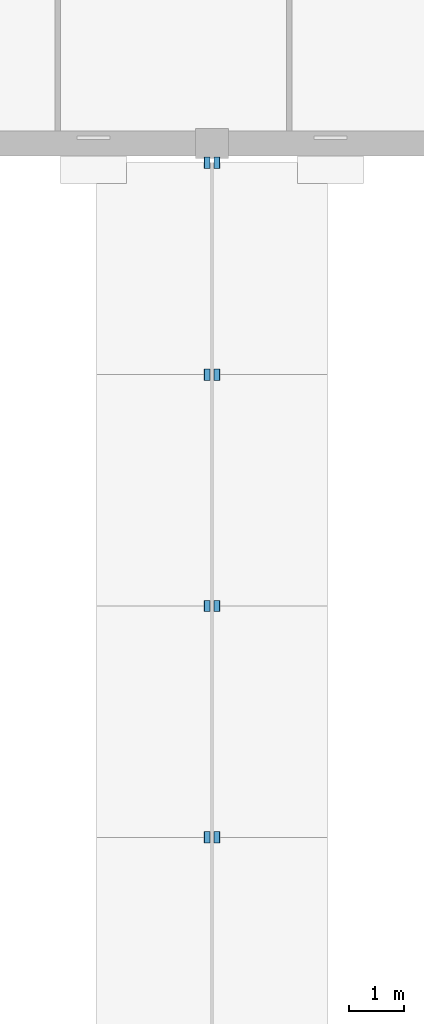
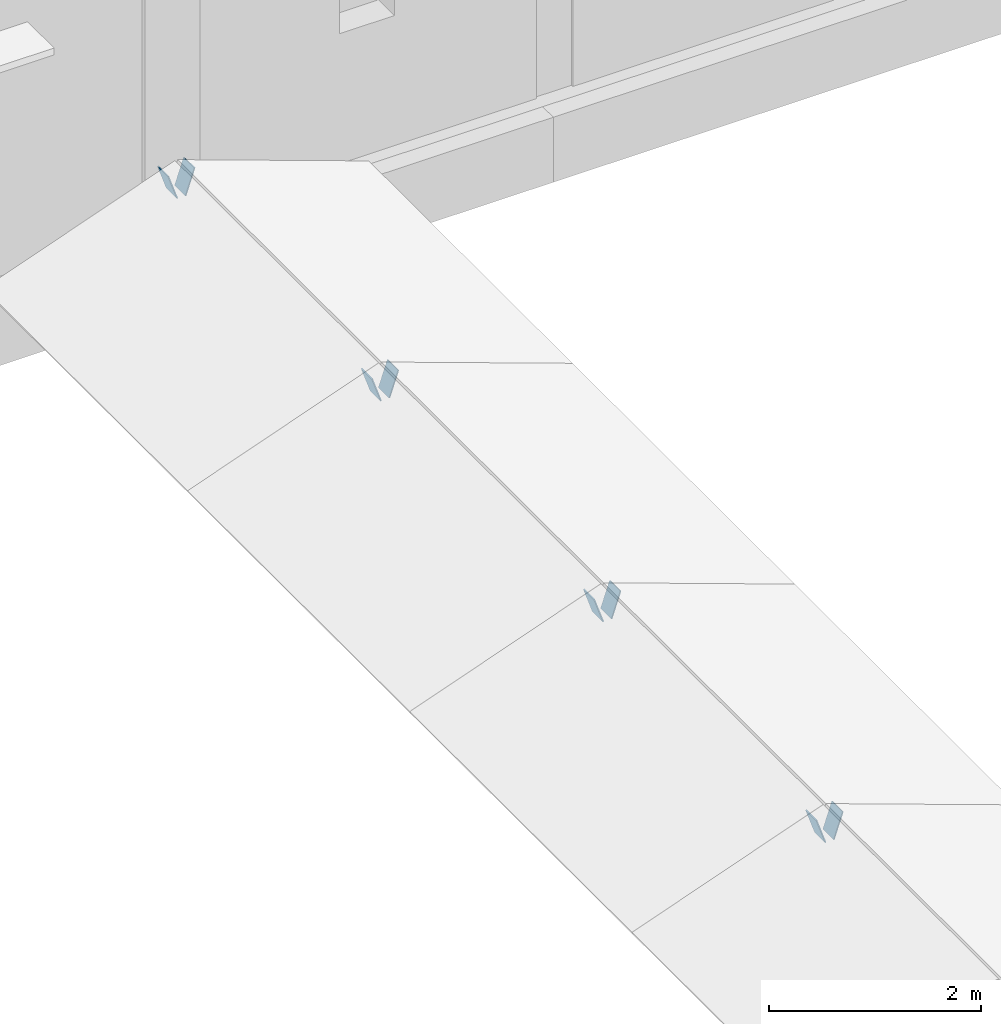
# One storey, part 34 of 38: 8 discrete accessories.
"""IFC4 building model written with IfcOpenShell, lengths in metres."""

from ifc_helpers import new_model, si_unit, direction, frame, origin, origin_2d, place, context, subcontext, project, spatial, rectangle, extrude, material, material_profile, profile_set, type_object, element, save


model = new_model("IFC4")

# Units and contexts
model_context = context("Model", 3, precision=1e-05, world=origin(), true_north=direction((0.0, 1.0)))
body_context = subcontext(model_context, "Body", "Model", "MODEL_VIEW")
ifc_project = project(units=[si_unit("LENGTHUNIT", "METRE"), si_unit("AREAUNIT", "SQUARE_METRE"), si_unit("VOLUMEUNIT", "CUBIC_METRE"), si_unit("PLANEANGLEUNIT", "RADIAN"), si_unit("MASSUNIT", "GRAM", prefix="KILO")], contexts=[model_context])

# Site, building, storey
site_placement = place(None, origin())
site = spatial("IfcSite", under=ifc_project, at=site_placement, CompositionType="ELEMENT")
building_placement = place(site_placement, origin())
building = spatial("IfcBuilding", under=site, at=building_placement, Name="Fescue Hill Polytechnic", CompositionType="ELEMENT")
storey_placement = place(building_placement, frame((0.0, 0.0, 18.0)))
storey = spatial("IfcBuildingStorey", under=building, at=storey_placement, Name="L04", CompositionType="ELEMENT", Elevation=18.0)

# Discrete accessories
ifc_material = material(Name="Steel 350W (350 MPa)", Category="steel")
ifc_material_profile = material_profile(ifc_material, rectangle(XDim=0.203125, YDim=0.3046875, at=origin_2d()), Name="Winter garden rafter end plate 12")
ifc_profile_set = profile_set([ifc_material_profile], Name="Steel 350W (350 MPa)")
discrete_accessory_type = type_object("IfcDiscreteAccessoryType", Name="Winter garden rafter end plate 12", PredefinedType="BRACKET", material=ifc_profile_set)
for number, where, z_axis, x_axis, name in (
    (1, (104.89990234375, 96.60009765625, 0.543212890625), (0.94664990605, 0.0, 0.322263797804), (0.0, 1.0, 0.0), "Winter garden rafter W12 ridge end plate"),
    (2, (105.10009765625, 96.60009765625, 0.543212890625), (-0.94664990605, 0.0, 0.322263797804), (0.0, -1.0, 0.0), "Winter garden rafter E12 ridge end plate"),
    (3, (104.89990234375, 100.800048828125, 0.543212890625), (0.94664990605, 0.0, 0.322263797804), (0.0, 1.0, 0.0), "Winter garden rafter W13 ridge end plate"),
    (4, (105.10009765625, 100.800048828125, 0.543212890625), (-0.94664990605, 0.0, 0.322263797804), (0.0, -1.0, 0.0), "Winter garden rafter E13 ridge end plate"),
    (5, (104.89990234375, 105.0, 0.543212890625), (0.94664990605, 0.0, 0.322263797804), (0.0, 1.0, 0.0), "Winter garden rafter W14 ridge end plate"),
    (6, (105.10009765625, 105.0, 0.543212890625), (-0.94664990605, 0.0, 0.322263797804), (0.0, -1.0, 0.0), "Winter garden rafter E14 ridge end plate"),
    (7, (104.89990234375, 108.85009765625, 0.543212890625), (0.94664990605, 0.0, 0.322263797804), (0.0, 1.0, 0.0), "Winter garden rafter W15 ridge end plate"),
    (8, (105.10009765625, 108.85009765625, 0.543212890625), (-0.94664990605, 0.0, 0.322263797804), (0.0, -1.0, 0.0), "Winter garden rafter E15 ridge end plate"),
):
    element("IfcDiscreteAccessory", number, at=place(storey_placement, frame(where, z_axis=z_axis, x_axis=x_axis)), inside=storey, type_object=discrete_accessory_type, Name=name, PredefinedType="BRACKET", context=body_context, shape_type="SweptSolid", body=[
        extrude(rectangle(XDim=0.203125, YDim=0.3046875, at=origin_2d()), origin(), (0.0, 0.0, 1.0), 0.01220703125),
    ])

save(model, "model.ifc")
